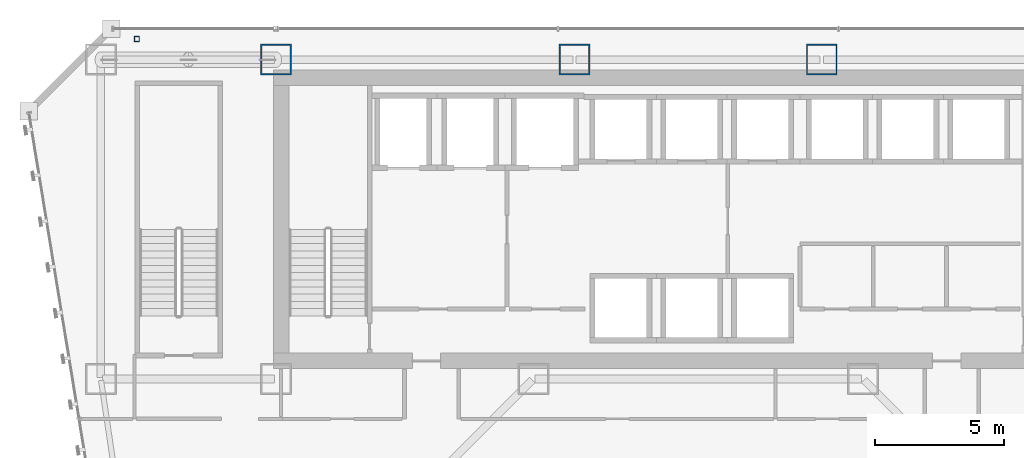
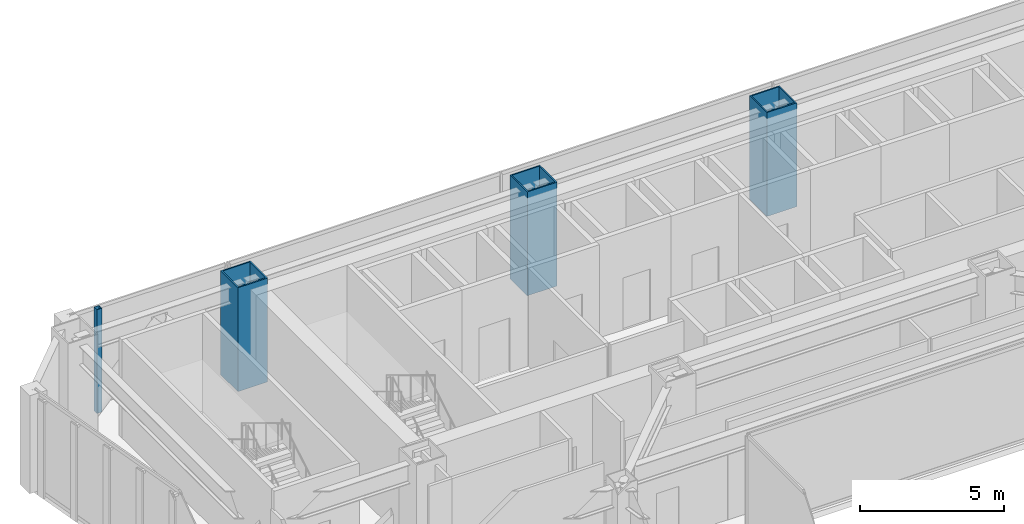
# One storey, part 2 of 47: 4 columns.
"""IFC4 building model written with IfcOpenShell, lengths in metres."""

from ifc_helpers import new_model, si_unit, direction, frame, origin, origin_2d, place, context, subcontext, project, spatial, hollow_rectangle, extrude, material, material_profile, profile_set, type_object, element, save


model = new_model("IFC4")

# Units and contexts
model_context = context("Model", 3, precision=1e-05, world=origin(), true_north=direction((0.0, 1.0)))
body_context = subcontext(model_context, "Body", "Model", "MODEL_VIEW")
ifc_project = project(units=[si_unit("LENGTHUNIT", "METRE"), si_unit("AREAUNIT", "SQUARE_METRE"), si_unit("VOLUMEUNIT", "CUBIC_METRE"), si_unit("PLANEANGLEUNIT", "RADIAN"), si_unit("MASSUNIT", "GRAM", prefix="KILO")], contexts=[model_context])

# Site, building, storey
site_placement = place(None, origin())
site = spatial("IfcSite", under=ifc_project, at=site_placement, CompositionType="ELEMENT")
building_placement = place(site_placement, origin())
building = spatial("IfcBuilding", under=site, at=building_placement, Name="Saevonmaru Cultural Tower", CompositionType="ELEMENT")
storey_placement = place(building_placement, frame((0.0, 0.0, 69.199951171875)))
storey = spatial("IfcBuildingStorey", under=building, at=storey_placement, Name="L14", CompositionType="ELEMENT", Elevation=69.199951171875)

# Columns
ifc_material_1 = material(Name="Steel HSA600 (600 MPa)", Category="steel")
ifc_material_profile_1 = material_profile(ifc_material_1, hollow_rectangle(XDim=1.199951171875, YDim=1.199951171875, WallThickness=0.054931640625, at=origin_2d()), Name="BOX-1200x1200x55")
ifc_profile_set_1 = profile_set([ifc_material_profile_1], Name="Steel HSA600 (600 MPa)")
column_type_1 = type_object("IfcColumnType", Name="COL-BOX-1200", PredefinedType="COLUMN", material=ifc_profile_set_1)
for number, where, z_axis, x_axis, name in (
    (1, (13.60009765625, 54.800048828125, 0.0), (0.0, 0.0, 1.0), (1.0, 0.0, 0.0), "L14 Column TC-N2N"),
    (2, (25.199951171875, 54.800048828125, 0.0), (0.0, 0.0, 1.0), (1.0, 0.0, 0.0), "L14 Column TC-N3N"),
    (3, (34.800048828125, 54.800048828125, 0.0), (0.0, 0.0, 1.0), (1.0, 0.0, 0.0), "L14 Column TC-N4N"),
):
    element("IfcColumn", number, at=place(storey_placement, frame(where, z_axis=z_axis, x_axis=x_axis)), inside=storey, type_object=column_type_1, Name=name, PredefinedType="COLUMN", context=body_context, shape_type="SweptSolid", body=[
        extrude(hollow_rectangle(XDim=1.199951171875, YDim=1.199951171875, WallThickness=0.054931640625, at=origin_2d()), origin(), (0.0, 0.0, 1.0), 4.400146484375),
    ])
ifc_material_2 = material(Name="Steel SM355", Category="steel")
ifc_material_profile_2 = material_profile(ifc_material_2, hollow_rectangle(XDim=0.199951171875, YDim=0.199951171875, WallThickness=0.010009765625, at=origin_2d()), Name="SHS-200x200x10")
ifc_profile_set_2 = profile_set([ifc_material_profile_2], Name="Steel SM355")
column_type_2 = type_object("IfcColumnType", Name="PIL-SHS-200", PredefinedType="PILASTER", material=ifc_profile_set_2)
column_placement = place(storey_placement, frame((8.199951171875, 55.60009765625, 0.0), z_axis=(0.0, 0.0, 1.0), x_axis=(1.0, 0.0, 0.0)))
element("IfcColumn", 4, at=column_placement, inside=storey, type_object=column_type_2, Name="L14 Art Deco Bronze-Clad Pilaster PIL-NW", PredefinedType="PILASTER", context=body_context, shape_type="SweptSolid", body=[
    extrude(hollow_rectangle(XDim=0.199951171875, YDim=0.199951171875, WallThickness=0.010009765625, at=origin_2d()), origin(), (0.0, 0.0, 1.0), 4.400146484375),
])

save(model, "model.ifc")
